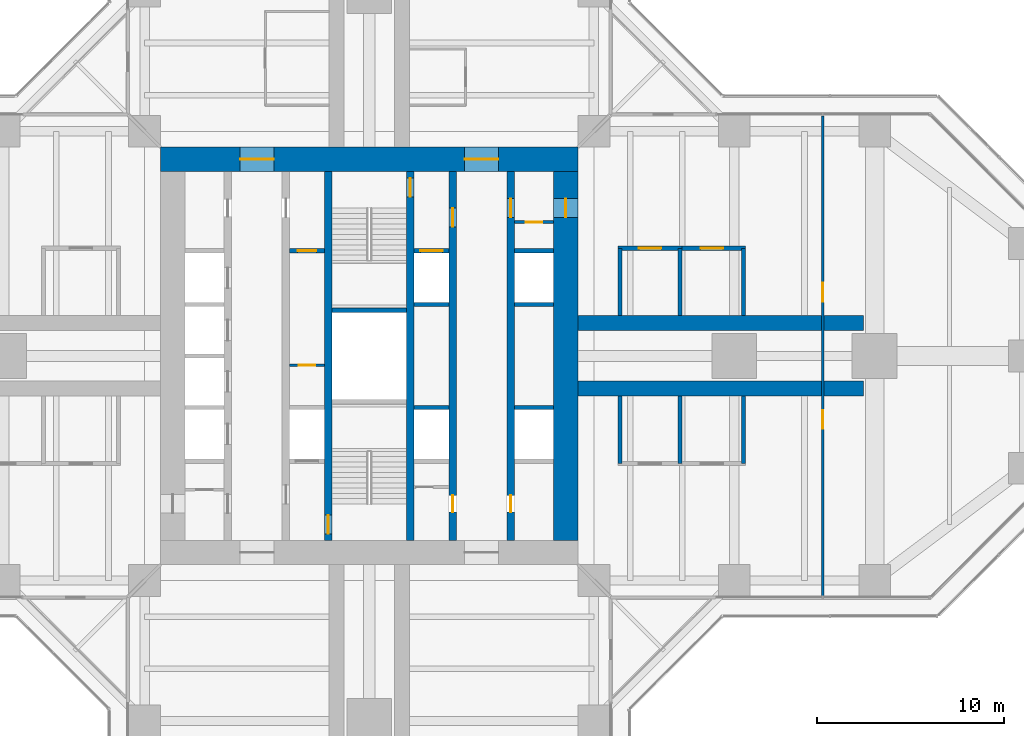
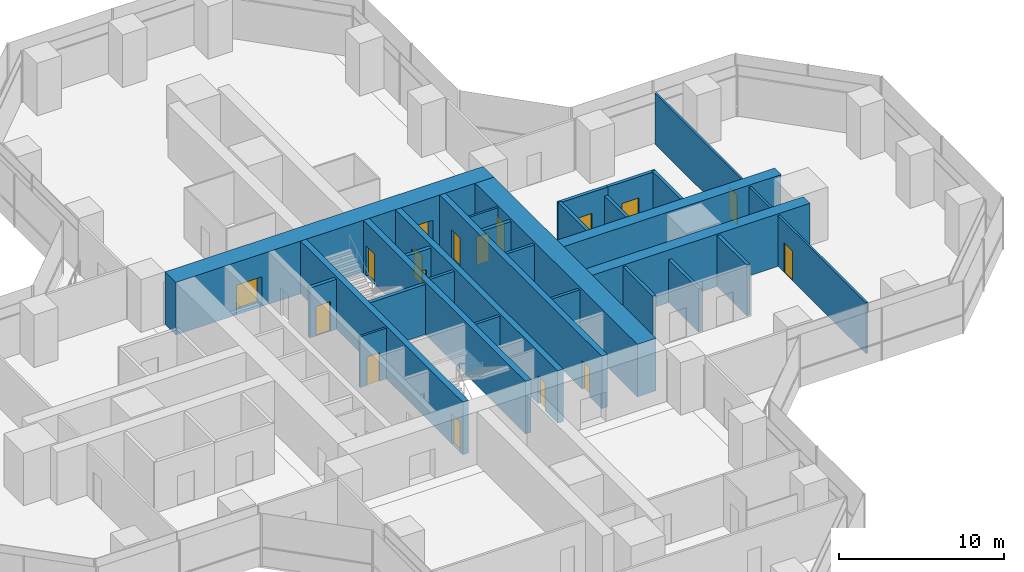
# One storey, part 19 of 22: 27 walls, 17 doors, 17 openings.
"""IFC4 building model written with IfcOpenShell, lengths in metres."""

from ifc_helpers import new_model, si_unit, direction, frame, frame_2d, origin, place, context, subcontext, project, spatial, rectangle, extrude, material, layer, layer_set, type_object, element, fill, save


model = new_model("IFC4")

# Units and contexts
model_context = context("Model", 3, precision=1e-05, world=origin(), true_north=direction((0.0, 1.0)))
body_context = subcontext(model_context, "Body", "Model", "MODEL_VIEW")
ifc_project = project(units=[si_unit("LENGTHUNIT", "METRE"), si_unit("AREAUNIT", "SQUARE_METRE"), si_unit("VOLUMEUNIT", "CUBIC_METRE"), si_unit("PLANEANGLEUNIT", "RADIAN"), si_unit("MASSUNIT", "GRAM", prefix="KILO")], contexts=[model_context])

# Site, building, storey
site_placement = place(None, origin())
site = spatial("IfcSite", under=ifc_project, at=site_placement, CompositionType="ELEMENT")
building_placement = place(site_placement, origin())
building = spatial("IfcBuilding", under=site, at=building_placement, Name="Mizan Broadcast Tower", CompositionType="ELEMENT")
storey_placement = place(building_placement, frame((0.0, 0.0, 63.0)))
storey = spatial("IfcBuildingStorey", under=building, at=storey_placement, Name="L12", CompositionType="ELEMENT", Elevation=63.0)

# Wall, openings, doors
ifc_material_1 = material(Name="Concrete C70/85", Category="concrete")
ifc_layer_1 = layer(ifc_material_1, 0.39990234375)
ifc_layer_set_1 = layer_set([ifc_layer_1], Name="Concrete C70/85")
wall_type_1 = type_object("IfcWallType", Name="CORE INTERNAL WALL 400", PredefinedType="SHEAR", material=ifc_layer_set_1)
wall_1_placement = place(storey_placement, frame((7.550048828125, 9.85009765625, 0.0), z_axis=(0.0, 0.0, 1.0), x_axis=(0.0, -1.0, 0.0)))
wall_1 = element("IfcWall", 1, at=wall_1_placement, inside=storey, type_object=wall_type_1, Name="Core wall CORE/XW1E", PredefinedType="SHEAR", context=body_context, shape_type="SweptSolid", body=[
    extrude(rectangle(XDim=19.7001953125, YDim=0.39990234375, at=frame_2d((9.85009765625, 0.0))), origin(), (0.0, 0.0, 1.0), 3.89990234375),
])
opening_1_placement = place(wall_1_placement, frame((1.449951171875, 0.0, 0.0)))
opening_1 = element("IfcOpeningElement", 2, at=opening_1_placement, cuts=wall_1, Name="Opening D10F", PredefinedType="OPENING", context=body_context, shape_type="SweptSolid", body=[
    extrude(rectangle(XDim=1.0, YDim=2.199951171875, at=frame_2d((0.5, 1.10009765625))), frame((0.0, 0.2099609375, 0.0), z_axis=(0.0, -1.0, 0.0), x_axis=(1.0, 0.0, 0.0)), (0.0, 0.0, 1.0), 0.419921875),
])
opening_2_placement = place(wall_1_placement, frame((17.300048828125, 0.0, 0.0)))
opening_2 = element("IfcOpeningElement", 3, at=opening_2_placement, cuts=wall_1, Name="Opening D09", PredefinedType="OPENING", context=body_context, shape_type="SweptSolid", body=[
    extrude(rectangle(XDim=0.89990234375, YDim=2.10009765625, at=frame_2d((0.449951171875, 1.050048828125))), frame((0.0, 0.2099609375, 0.0), z_axis=(0.0, -1.0, 0.0), x_axis=(1.0, 0.0, 0.0)), (0.0, 0.0, 1.0), 0.419921875),
])
ifc_material_2 = material(Name="Steel door leaf in steel frame", Category="steel")
door_type_1 = type_object("IfcDoorType", Name="FIRE DOOR 1000 FD90", OperationType="SINGLE_SWING_LEFT", PredefinedType="DOOR", material=ifc_material_2)
door_1_placement = place(opening_1_placement, origin())
door_1 = element("IfcDoor", 4, at=door_1_placement, inside=storey, type_object=door_type_1, Name="East core passage door", OperationType="SINGLE_SWING_LEFT", OverallHeight=2.199951171875, OverallWidth=1.0, PredefinedType="DOOR", context=body_context, shape_type="SweptSolid", body=[
    extrude(rectangle(XDim=1.0, YDim=2.199951171875, at=frame_2d((0.5, 1.10009765625))), frame((0.0, 0.02490234375, 0.0), z_axis=(0.0, -1.0, 0.0), x_axis=(1.0, 0.0, 0.0)), (0.0, 0.0, 1.0), 0.050048828125),
])
fill(opening_1, door_1)
ifc_material_3 = material(Name="Timber door leaf in aluminium frame", Category="wood")
door_type_2 = type_object("IfcDoorType", Name="TOILET DOOR 900", OperationType="SINGLE_SWING_LEFT", PredefinedType="DOOR", material=ifc_material_3)
door_2_placement = place(opening_2_placement, origin())
door_2 = element("IfcDoor", 5, at=door_2_placement, inside=storey, type_object=door_type_2, Name="Female WC door", OperationType="SINGLE_SWING_RIGHT", OverallHeight=2.10009765625, OverallWidth=0.89990234375, PredefinedType="DOOR", context=body_context, shape_type="SweptSolid", body=[
    extrude(rectangle(XDim=0.89990234375, YDim=2.10009765625, at=frame_2d((0.449951171875, 1.050048828125))), frame((0.0, 0.02490234375, 0.0), z_axis=(0.0, -1.0, 0.0), x_axis=(1.0, 0.0, 0.0)), (0.0, 0.0, 1.0), 0.050048828125),
])
fill(opening_2, door_2)

wall_2_placement = place(storey_placement, frame((4.449951171875, 9.85009765625, 0.0), z_axis=(0.0, 0.0, 1.0), x_axis=(0.0, -1.0, 0.0)))
wall_2 = element("IfcWall", 6, at=wall_2_placement, inside=storey, type_object=wall_type_1, Name="Core wall CORE/XWHE", PredefinedType="SHEAR", context=body_context, shape_type="SweptSolid", body=[
    extrude(rectangle(XDim=19.7001953125, YDim=0.39990234375, at=frame_2d((9.85009765625, 0.0))), origin(), (0.0, 0.0, 1.0), 3.89990234375),
])
opening_3_placement = place(wall_2_placement, frame((1.949951171875, 0.0, 0.0)))
opening_3 = element("IfcOpeningElement", 7, at=opening_3_placement, cuts=wall_2, Name="Opening D10F", PredefinedType="OPENING", context=body_context, shape_type="SweptSolid", body=[
    extrude(rectangle(XDim=1.0, YDim=2.199951171875, at=frame_2d((0.5, 1.10009765625))), frame((0.0, 0.2099609375, 0.0), z_axis=(0.0, -1.0, 0.0), x_axis=(1.0, 0.0, 0.0)), (0.0, 0.0, 1.0), 0.419921875),
])
opening_4_placement = place(wall_2_placement, frame((17.300048828125, 0.0, 0.0)))
opening_4 = element("IfcOpeningElement", 8, at=opening_4_placement, cuts=wall_2, Name="Opening D09", PredefinedType="OPENING", context=body_context, shape_type="SweptSolid", body=[
    extrude(rectangle(XDim=0.89990234375, YDim=2.10009765625, at=frame_2d((0.449951171875, 1.050048828125))), frame((0.0, 0.2099609375, 0.0), z_axis=(0.0, -1.0, 0.0), x_axis=(1.0, 0.0, 0.0)), (0.0, 0.0, 1.0), 0.419921875),
])
door_3_placement = place(opening_3_placement, origin())
door_3 = element("IfcDoor", 9, at=door_3_placement, inside=storey, type_object=door_type_1, Name="Firefighting lobby B door", OperationType="SINGLE_SWING_LEFT", OverallHeight=2.199951171875, OverallWidth=1.0, PredefinedType="DOOR", context=body_context, shape_type="SweptSolid", body=[
    extrude(rectangle(XDim=1.0, YDim=2.199951171875, at=frame_2d((0.5, 1.10009765625))), frame((0.0, 0.02490234375, 0.0), z_axis=(0.0, -1.0, 0.0), x_axis=(1.0, 0.0, 0.0)), (0.0, 0.0, 1.0), 0.050048828125),
])
fill(opening_3, door_3)
door_4_placement = place(opening_4_placement, origin())
door_4 = element("IfcDoor", 10, at=door_4_placement, inside=storey, type_object=door_type_2, Name="Cleaner's store door", OperationType="SINGLE_SWING_RIGHT", OverallHeight=2.10009765625, OverallWidth=0.89990234375, PredefinedType="DOOR", context=body_context, shape_type="SweptSolid", body=[
    extrude(rectangle(XDim=0.89990234375, YDim=2.10009765625, at=frame_2d((0.449951171875, 1.050048828125))), frame((0.0, 0.02490234375, 0.0), z_axis=(0.0, -1.0, 0.0), x_axis=(1.0, 0.0, 0.0)), (0.0, 0.0, 1.0), 0.050048828125),
])
fill(opening_4, door_4)

# Wall, opening, door
wall_3_placement = place(storey_placement, frame((-2.199951171875, -9.85009765625, 0.0), z_axis=(0.0, 0.0, 1.0), x_axis=(0.0, 1.0, 0.0)))
wall_3 = element("IfcWall", 11, at=wall_3_placement, inside=storey, type_object=wall_type_1, Name="Core wall CORE/XW2", PredefinedType="SHEAR", context=body_context, shape_type="SweptSolid", body=[
    extrude(rectangle(XDim=19.7001953125, YDim=0.39990234375, at=frame_2d((9.85009765625, 0.0))), origin(), (0.0, 0.0, 1.0), 3.89990234375),
])
opening_5_placement = place(wall_3_placement, frame((0.35009765625, 0.0, 0.0)))
opening_5 = element("IfcOpeningElement", 12, at=opening_5_placement, cuts=wall_3, Name="Opening D10S", PredefinedType="OPENING", context=body_context, shape_type="SweptSolid", body=[
    extrude(rectangle(XDim=1.0, YDim=2.199951171875, at=frame_2d((0.5, 1.10009765625))), frame((0.0, 0.2099609375, 0.0), z_axis=(0.0, -1.0, 0.0), x_axis=(1.0, 0.0, 0.0)), (0.0, 0.0, 1.0), 0.419921875),
])
ifc_material_4 = material(Name="Steel door leaf in steel frame", Category="steel")
door_type_3 = type_object("IfcDoorType", Name="STAIR DOOR 1000 FD90S", OperationType="SINGLE_SWING_RIGHT", PredefinedType="DOOR", material=ifc_material_4)
door_5_placement = place(opening_5_placement, origin())
door_5 = element("IfcDoor", 13, at=door_5_placement, inside=storey, type_object=door_type_3, Name="Stair A door", OperationType="SINGLE_SWING_RIGHT", OverallHeight=2.199951171875, OverallWidth=1.0, PredefinedType="DOOR", context=body_context, shape_type="SweptSolid", body=[
    extrude(rectangle(XDim=1.0, YDim=2.199951171875, at=frame_2d((0.5, 1.10009765625))), frame((0.0, 0.02490234375, 0.0), z_axis=(0.0, -1.0, 0.0), x_axis=(1.0, 0.0, 0.0)), (0.0, 0.0, 1.0), 0.050048828125),
])
fill(opening_5, door_5)

wall_4_placement = place(storey_placement, frame((2.199951171875, 9.85009765625, 0.0), z_axis=(0.0, 0.0, 1.0), x_axis=(0.0, -1.0, 0.0)))
wall_4 = element("IfcWall", 14, at=wall_4_placement, inside=storey, type_object=wall_type_1, Name="Core wall CORE/XW2E", PredefinedType="SHEAR", context=body_context, shape_type="SweptSolid", body=[
    extrude(rectangle(XDim=19.7001953125, YDim=0.39990234375, at=frame_2d((9.85009765625, 0.0))), origin(), (0.0, 0.0, 1.0), 3.89990234375),
])
opening_6_placement = place(wall_4_placement, frame((0.35009765625, 0.0, 0.0)))
opening_6 = element("IfcOpeningElement", 15, at=opening_6_placement, cuts=wall_4, Name="Opening D10S", PredefinedType="OPENING", context=body_context, shape_type="SweptSolid", body=[
    extrude(rectangle(XDim=1.0, YDim=2.199951171875, at=frame_2d((0.5, 1.10009765625))), frame((0.0, 0.2099609375, 0.0), z_axis=(0.0, -1.0, 0.0), x_axis=(1.0, 0.0, 0.0)), (0.0, 0.0, 1.0), 0.419921875),
])
door_6_placement = place(opening_6_placement, origin())
door_6 = element("IfcDoor", 16, at=door_6_placement, inside=storey, type_object=door_type_3, Name="Stair B door", OperationType="SINGLE_SWING_RIGHT", OverallHeight=2.199951171875, OverallWidth=1.0, PredefinedType="DOOR", context=body_context, shape_type="SweptSolid", body=[
    extrude(rectangle(XDim=1.0, YDim=2.199951171875, at=frame_2d((0.5, 1.10009765625))), frame((0.0, 0.02490234375, 0.0), z_axis=(0.0, -1.0, 0.0), x_axis=(1.0, 0.0, 0.0)), (0.0, 0.0, 1.0), 0.050048828125),
])
fill(opening_6, door_6)

ifc_material_5 = material(Name="Concrete blockwork", Category="masonry")
ifc_layer_2 = layer(ifc_material_5, 0.14990234375)
ifc_layer_set_2 = layer_set([ifc_layer_2], Name="Concrete blockwork")
wall_type_2 = type_object("IfcWallType", Name="CORE PARTITION 150", PredefinedType="SOLIDWALL", material=ifc_layer_set_2)
wall_5_placement = place(storey_placement, frame((-4.25, -0.5, 0.0), z_axis=(0.0, 0.0, 1.0), x_axis=(1.0, 0.0, 0.0)))
wall_5 = element("IfcWall", 17, at=wall_5_placement, inside=storey, type_object=wall_type_2, Name="Core partition CORE/XP2", PredefinedType="SOLIDWALL", context=body_context, shape_type="SweptSolid", body=[
    extrude(rectangle(XDim=1.85009765625, YDim=0.14990234375, at=frame_2d((0.925048828125, 0.0))), origin(), (0.0, 0.0, 1.0), 3.77001953125),
])
opening_7_placement = place(wall_5_placement, frame((0.47509765625, 0.0, 0.0)))
opening_7 = element("IfcOpeningElement", 18, at=opening_7_placement, cuts=wall_5, Name="Opening D09F", PredefinedType="OPENING", context=body_context, shape_type="SweptSolid", body=[
    extrude(rectangle(XDim=0.89990234375, YDim=2.10009765625, at=frame_2d((0.449951171875, 1.050048828125))), frame((0.0, 0.0849609375, 0.0), z_axis=(0.0, -1.0, 0.0), x_axis=(1.0, 0.0, 0.0)), (0.0, 0.0, 1.0), 0.169921875),
])
ifc_material_6 = material(Name="Steel door leaf in steel frame", Category="steel")
door_type_4 = type_object("IfcDoorType", Name="CORE ROOM DOOR 900 FD90", OperationType="SINGLE_SWING_LEFT", PredefinedType="DOOR", material=ifc_material_6)
door_7_placement = place(opening_7_placement, origin())
door_7 = element("IfcDoor", 19, at=door_7_placement, inside=storey, type_object=door_type_4, Name="Accessible changing room door", OperationType="SINGLE_SWING_RIGHT", OverallHeight=2.10009765625, OverallWidth=0.89990234375, PredefinedType="DOOR", context=body_context, shape_type="SweptSolid", body=[
    extrude(rectangle(XDim=0.89990234375, YDim=2.10009765625, at=frame_2d((0.449951171875, 1.050048828125))), frame((0.0, 0.02490234375, 0.0), z_axis=(0.0, -1.0, 0.0), x_axis=(1.0, 0.0, 0.0)), (0.0, 0.0, 1.0), 0.050048828125),
])
fill(opening_7, door_7)

wall_6_placement = place(storey_placement, frame((9.85009765625, 7.14990234375, 0.0), z_axis=(0.0, 0.0, 1.0), x_axis=(-1.0, 0.0, 0.0)))
wall_6 = element("IfcWall", 20, at=wall_6_placement, inside=storey, type_object=wall_type_2, Name="Core partition CORE/XPE", PredefinedType="SOLIDWALL", context=body_context, shape_type="SweptSolid", body=[
    extrude(rectangle(XDim=2.10009765625, YDim=0.14990234375, at=frame_2d((1.050048828125, 0.0))), origin(), (0.0, 0.0, 1.0), 3.77001953125),
])
opening_8_placement = place(wall_6_placement, frame((0.60009765625, 0.0, 0.0)))
opening_8 = element("IfcOpeningElement", 21, at=opening_8_placement, cuts=wall_6, Name="Opening D09F", PredefinedType="OPENING", context=body_context, shape_type="SweptSolid", body=[
    extrude(rectangle(XDim=0.89990234375, YDim=2.10009765625, at=frame_2d((0.449951171875, 1.050048828125))), frame((0.0, 0.0849609375, 0.0), z_axis=(0.0, -1.0, 0.0), x_axis=(1.0, 0.0, 0.0)), (0.0, 0.0, 1.0), 0.169921875),
])
door_8_placement = place(opening_8_placement, origin())
door_8 = element("IfcDoor", 22, at=door_8_placement, inside=storey, type_object=door_type_4, Name="Electrical cupboard door", OperationType="SINGLE_SWING_RIGHT", OverallHeight=2.10009765625, OverallWidth=0.89990234375, PredefinedType="DOOR", context=body_context, shape_type="SweptSolid", body=[
    extrude(rectangle(XDim=0.89990234375, YDim=2.10009765625, at=frame_2d((0.449951171875, 1.050048828125))), frame((0.0, 0.02490234375, 0.0), z_axis=(0.0, -1.0, 0.0), x_axis=(1.0, 0.0, 0.0)), (0.0, 0.0, 1.0), 0.050048828125),
])
fill(opening_8, door_8)

# Wall, openings, doors
ifc_material_7 = material(Name="Concrete C70/85", Category="concrete")
ifc_layer_3 = layer(ifc_material_7, 1.300048828125)
ifc_layer_set_3 = layer_set([ifc_layer_3], Name="Concrete C70/85")
wall_type_3 = type_object("IfcWallType", Name="CORE WALL 1300", PredefinedType="SHEAR", material=ifc_layer_set_3)
wall_7_placement = place(storey_placement, frame((-11.14990234375, 10.5, 0.0), z_axis=(0.0, 0.0, 1.0), x_axis=(1.0, 0.0, 0.0)))
wall_7 = element("IfcWall", 23, at=wall_7_placement, inside=storey, type_object=wall_type_3, Name="Core wall N L12", PredefinedType="SHEAR", context=body_context, shape_type="SweptSolid", body=[
    extrude(rectangle(XDim=22.2998046875, YDim=1.300048828125, at=frame_2d((11.14990234375, 0.0))), origin(), (0.0, 0.0, 1.0), 3.89990234375),
])
opening_9_placement = place(wall_7_placement, frame((4.25, 0.0, 0.0)))
opening_9 = element("IfcOpeningElement", 24, at=opening_9_placement, cuts=wall_7, Name="Opening D18F", PredefinedType="OPENING", context=body_context, shape_type="SweptSolid", body=[
    extrude(rectangle(XDim=1.800048828125, YDim=2.199951171875, at=frame_2d((0.89990234375, 1.10009765625))), frame((0.0, 0.659912109375, 0.0), z_axis=(0.0, -1.0, 0.0), x_axis=(1.0, 0.0, 0.0)), (0.0, 0.0, 1.0), 1.320068359375),
])
opening_10_placement = place(wall_7_placement, frame((16.25, 0.0, 0.0)))
opening_10 = element("IfcOpeningElement", 25, at=opening_10_placement, cuts=wall_7, Name="Opening D18F", PredefinedType="OPENING", context=body_context, shape_type="SweptSolid", body=[
    extrude(rectangle(XDim=1.800048828125, YDim=2.199951171875, at=frame_2d((0.89990234375, 1.10009765625))), frame((0.0, 0.659912109375, 0.0), z_axis=(0.0, -1.0, 0.0), x_axis=(1.0, 0.0, 0.0)), (0.0, 0.0, 1.0), 1.320068359375),
])
ifc_material_8 = material(Name="Steel door leaf in steel frame", Category="steel")
door_type_5 = type_object("IfcDoorType", Name="LOBBY DOUBLE DOOR 1800 FD90", OperationType="DOUBLE_DOOR_DOUBLE_SWING", PredefinedType="DOOR", material=ifc_material_8)
door_9_placement = place(opening_9_placement, origin())
door_9 = element("IfcDoor", 26, at=door_9_placement, inside=storey, type_object=door_type_5, Name="West lift lobby north door", OperationType="DOUBLE_DOOR_DOUBLE_SWING", OverallHeight=2.199951171875, OverallWidth=1.800048828125, PredefinedType="DOOR", context=body_context, shape_type="SweptSolid", body=[
    extrude(rectangle(XDim=1.800048828125, YDim=2.199951171875, at=frame_2d((0.89990234375, 1.10009765625))), frame((0.0, 0.02490234375, 0.0), z_axis=(0.0, -1.0, 0.0), x_axis=(1.0, 0.0, 0.0)), (0.0, 0.0, 1.0), 0.050048828125),
])
fill(opening_9, door_9)
door_10_placement = place(opening_10_placement, origin())
door_10 = element("IfcDoor", 27, at=door_10_placement, inside=storey, type_object=door_type_5, Name="East lift lobby north door", OperationType="DOUBLE_DOOR_DOUBLE_SWING", OverallHeight=2.199951171875, OverallWidth=1.800048828125, PredefinedType="DOOR", context=body_context, shape_type="SweptSolid", body=[
    extrude(rectangle(XDim=1.800048828125, YDim=2.199951171875, at=frame_2d((0.89990234375, 1.10009765625))), frame((0.0, 0.02490234375, 0.0), z_axis=(0.0, -1.0, 0.0), x_axis=(1.0, 0.0, 0.0)), (0.0, 0.0, 1.0), 0.050048828125),
])
fill(opening_10, door_10)

# Wall, opening, door
wall_8_placement = place(storey_placement, frame((10.5, -9.85009765625, 0.0), z_axis=(0.0, 0.0, 1.0), x_axis=(0.0, 1.0, 0.0)))
wall_8 = element("IfcWall", 28, at=wall_8_placement, inside=storey, type_object=wall_type_3, Name="Core wall E L12", PredefinedType="SHEAR", context=body_context, shape_type="SweptSolid", body=[
    extrude(rectangle(XDim=19.7001953125, YDim=1.300048828125, at=frame_2d((9.85009765625, 0.0))), origin(), (0.0, 0.0, 1.0), 3.89990234375),
])
opening_11_placement = place(wall_8_placement, frame((17.25, 0.0, 0.0)))
opening_11 = element("IfcOpeningElement", 29, at=opening_11_placement, cuts=wall_8, Name="Opening D10F", PredefinedType="OPENING", context=body_context, shape_type="SweptSolid", body=[
    extrude(rectangle(XDim=1.0, YDim=2.199951171875, at=frame_2d((0.5, 1.10009765625))), frame((0.0, 0.659912109375, 0.0), z_axis=(0.0, -1.0, 0.0), x_axis=(1.0, 0.0, 0.0)), (0.0, 0.0, 1.0), 1.320068359375),
])
door_11_placement = place(opening_11_placement, origin())
door_11 = element("IfcDoor", 30, at=door_11_placement, inside=storey, type_object=door_type_1, Name="East core passage arm door", OperationType="SINGLE_SWING_RIGHT", OverallHeight=2.199951171875, OverallWidth=1.0, PredefinedType="DOOR", context=body_context, shape_type="SweptSolid", body=[
    extrude(rectangle(XDim=1.0, YDim=2.199951171875, at=frame_2d((0.5, 1.10009765625))), frame((0.0, 0.02490234375, 0.0), z_axis=(0.0, -1.0, 0.0), x_axis=(1.0, 0.0, 0.0)), (0.0, 0.0, 1.0), 0.050048828125),
])
fill(opening_11, door_11)

# Walls
ifc_material_9 = material(Name="Concrete blockwork", Category="masonry")
ifc_layer_4 = layer(ifc_material_9, 0.199951171875)
ifc_layer_set_4 = layer_set([ifc_layer_4], Name="Concrete blockwork")
wall_type_4 = type_object("IfcWallType", Name="LIFT SHAFT WALL 200", PredefinedType="SOLIDWALL", material=ifc_layer_set_4)
wall_9_placement = place(storey_placement, frame((2.39990234375, -2.75, 0.0), z_axis=(0.0, 0.0, 1.0), x_axis=(1.0, 0.0, 0.0)))
element("IfcWall", 31, at=wall_9_placement, inside=storey, type_object=wall_type_4, Name="Lift shaft wall CORE/SE2-1", PredefinedType="SOLIDWALL", context=body_context, shape_type="SweptSolid", body=[
    extrude(rectangle(XDim=1.85009765625, YDim=0.199951171875, at=frame_2d((0.925048828125, 0.0))), origin(), (0.0, 0.0, 1.0), 3.699951171875),
])
wall_10_placement = place(storey_placement, frame((7.75, -2.75, 0.0), z_axis=(0.0, 0.0, 1.0), x_axis=(1.0, 0.0, 0.0)))
element("IfcWall", 32, at=wall_10_placement, inside=storey, type_object=wall_type_4, Name="Lift shaft wall CORE/SE1-1", PredefinedType="SOLIDWALL", context=body_context, shape_type="SweptSolid", body=[
    extrude(rectangle(XDim=2.10009765625, YDim=0.199951171875, at=frame_2d((1.050048828125, 0.0))), origin(), (0.0, 0.0, 1.0), 3.699951171875),
])
wall_11_placement = place(storey_placement, frame((2.39990234375, 2.75, 0.0), z_axis=(0.0, 0.0, 1.0), x_axis=(1.0, 0.0, 0.0)))
element("IfcWall", 33, at=wall_11_placement, inside=storey, type_object=wall_type_4, Name="Lift shaft wall CORE/SE2-3", PredefinedType="SOLIDWALL", context=body_context, shape_type="SweptSolid", body=[
    extrude(rectangle(XDim=1.85009765625, YDim=0.199951171875, at=frame_2d((0.925048828125, 0.0))), origin(), (0.0, 0.0, 1.0), 3.699951171875),
])
wall_12_placement = place(storey_placement, frame((7.75, 2.75, 0.0), z_axis=(0.0, 0.0, 1.0), x_axis=(1.0, 0.0, 0.0)))
element("IfcWall", 34, at=wall_12_placement, inside=storey, type_object=wall_type_4, Name="Lift shaft wall CORE/SE1-3", PredefinedType="SOLIDWALL", context=body_context, shape_type="SweptSolid", body=[
    extrude(rectangle(XDim=2.10009765625, YDim=0.199951171875, at=frame_2d((1.050048828125, 0.0))), origin(), (0.0, 0.0, 1.0), 3.699951171875),
])

# Wall, opening, door
ifc_material_10 = material(Name="Concrete blockwork", Category="masonry")
ifc_layer_5 = layer(ifc_material_10, 0.25)
ifc_layer_set_5 = layer_set([ifc_layer_5], Name="Concrete blockwork")
wall_type_5 = type_object("IfcWallType", Name="LOBBY ENCLOSURE WALL 250", PredefinedType="SOLIDWALL", material=ifc_layer_set_5)
wall_13_placement = place(storey_placement, frame((-4.25, 5.625, 0.0), z_axis=(0.0, 0.0, 1.0), x_axis=(1.0, 0.0, 0.0)))
wall_13 = element("IfcWall", 35, at=wall_13_placement, inside=storey, type_object=wall_type_5, Name="Lobby enclosure wall CORE/BW2N", PredefinedType="SOLIDWALL", context=body_context, shape_type="SweptSolid", body=[
    extrude(rectangle(XDim=1.85009765625, YDim=0.25, at=frame_2d((0.925048828125, 0.0))), origin(), (0.0, 0.0, 1.0), 3.699951171875),
])
opening_12_placement = place(wall_13_placement, frame((0.425048828125, 0.0, 0.0)))
opening_12 = element("IfcOpeningElement", 36, at=opening_12_placement, cuts=wall_13, Name="Opening D10F", PredefinedType="OPENING", context=body_context, shape_type="SweptSolid", body=[
    extrude(rectangle(XDim=1.0, YDim=2.199951171875, at=frame_2d((0.5, 1.10009765625))), frame((0.0, 0.135009765625, 0.0), z_axis=(0.0, -1.0, 0.0), x_axis=(1.0, 0.0, 0.0)), (0.0, 0.0, 1.0), 0.27001953125),
])
door_12_placement = place(opening_12_placement, origin())
door_12 = element("IfcDoor", 37, at=door_12_placement, inside=storey, type_object=door_type_1, Name="Baby change room door", OperationType="SINGLE_SWING_RIGHT", OverallHeight=2.199951171875, OverallWidth=1.0, PredefinedType="DOOR", context=body_context, shape_type="SweptSolid", body=[
    extrude(rectangle(XDim=1.0, YDim=2.199951171875, at=frame_2d((0.5, 1.10009765625))), frame((0.0, 0.02490234375, 0.0), z_axis=(0.0, -1.0, 0.0), x_axis=(1.0, 0.0, 0.0)), (0.0, 0.0, 1.0), 0.050048828125),
])
fill(opening_12, door_12)

wall_14_placement = place(storey_placement, frame((2.39990234375, 5.625, 0.0), z_axis=(0.0, 0.0, 1.0), x_axis=(1.0, 0.0, 0.0)))
wall_14 = element("IfcWall", 38, at=wall_14_placement, inside=storey, type_object=wall_type_5, Name="Lobby enclosure wall CORE/BE2N", PredefinedType="SOLIDWALL", context=body_context, shape_type="SweptSolid", body=[
    extrude(rectangle(XDim=1.85009765625, YDim=0.25, at=frame_2d((0.925048828125, 0.0))), origin(), (0.0, 0.0, 1.0), 3.699951171875),
])
opening_13_placement = place(wall_14_placement, frame((0.324951171875, 0.0, 0.0)))
opening_13 = element("IfcOpeningElement", 39, at=opening_13_placement, cuts=wall_14, Name="Opening LDF", PredefinedType="OPENING", context=body_context, shape_type="SweptSolid", body=[
    extrude(rectangle(XDim=1.199951171875, YDim=2.199951171875, at=frame_2d((0.60009765625, 1.10009765625))), frame((0.0, 0.135009765625, 0.0), z_axis=(0.0, -1.0, 0.0), x_axis=(1.0, 0.0, 0.0)), (0.0, 0.0, 1.0), 0.27001953125),
])
ifc_material_11 = material(Name="Steel door leaf in steel frame", Category="steel")
door_type_6 = type_object("IfcDoorType", Name="FIREFIGHTING LIFT LANDING DOOR 1200", OperationType="SLIDING_TO_LEFT", PredefinedType="DOOR", material=ifc_material_11)
door_13_placement = place(opening_13_placement, origin())
door_13 = element("IfcDoor", 40, at=door_13_placement, inside=storey, type_object=door_type_6, Name="Landing door FF2", OperationType="SLIDING_TO_LEFT", OverallHeight=2.199951171875, OverallWidth=1.199951171875, PredefinedType="DOOR", context=body_context, shape_type="SweptSolid", body=[
    extrude(rectangle(XDim=1.199951171875, YDim=2.199951171875, at=frame_2d((0.60009765625, 1.10009765625))), frame((0.0, 0.02490234375, 0.0), z_axis=(0.0, -1.0, 0.0), x_axis=(1.0, 0.0, 0.0)), (0.0, 0.0, 1.0), 0.050048828125),
])
fill(opening_13, door_13)

# Walls
wall_15_placement = place(storey_placement, frame((7.75, 5.625, 0.0), z_axis=(0.0, 0.0, 1.0), x_axis=(1.0, 0.0, 0.0)))
element("IfcWall", 41, at=wall_15_placement, inside=storey, type_object=wall_type_5, Name="Lobby enclosure wall CORE/BE1N", PredefinedType="SOLIDWALL", context=body_context, shape_type="SweptSolid", body=[
    extrude(rectangle(XDim=2.10009765625, YDim=0.25, at=frame_2d((1.050048828125, 0.0))), origin(), (0.0, 0.0, 1.0), 3.699951171875),
])
wall_16_placement = place(storey_placement, frame((-2.0, 2.449951171875, 0.0), z_axis=(0.0, 0.0, 1.0), x_axis=(1.0, 0.0, 0.0)))
element("IfcWall", 42, at=wall_16_placement, inside=storey, type_object=wall_type_5, Name="Lobby enclosure wall CORE/STB", PredefinedType="SOLIDWALL", context=body_context, shape_type="SweptSolid", body=[
    extrude(rectangle(XDim=4.0, YDim=0.25, at=frame_2d((2.0, 0.0))), origin(), (0.0, 0.0, 1.0), 3.699951171875),
])

# Wall, openings, doors
ifc_material_12 = material(Name="Gypsum board on steel studs", Category="steel")
ifc_layer_6 = layer(ifc_material_12, 0.14990234375)
ifc_layer_set_6 = layer_set([ifc_layer_6], Name="Gypsum board on steel studs")
wall_type_6 = type_object("IfcWallType", Name="PARTITION 150", PredefinedType="PARTITIONING", material=ifc_layer_set_6)
wall_17_placement = place(storey_placement, frame((24.22900390625, -12.820068359375, 0.0), z_axis=(0.0, 0.0, 1.0), x_axis=(0.0, 1.0, 0.0)))
wall_17 = element("IfcWall", 43, at=wall_17_placement, inside=storey, type_object=wall_type_6, Name="Partition PT/EX1", PredefinedType="PARTITIONING", context=body_context, shape_type="SweptSolid", body=[
    extrude(rectangle(XDim=25.64013671875, YDim=0.14990234375, at=frame_2d((12.820068359375, 0.0))), origin(), (0.0, 0.0, 1.0), 3.77001953125),
])
opening_14_placement = place(wall_17_placement, frame((15.719970703125, 0.0, 0.0)))
opening_14 = element("IfcOpeningElement", 44, at=opening_14_placement, cuts=wall_17, Name="Opening D10", PredefinedType="OPENING", context=body_context, shape_type="SweptSolid", body=[
    extrude(rectangle(XDim=1.0, YDim=2.199951171875, at=frame_2d((0.5, 1.10009765625))), frame((0.0, 0.0849609375, 0.0), z_axis=(0.0, -1.0, 0.0), x_axis=(1.0, 0.0, 0.0)), (0.0, 0.0, 1.0), 0.169921875),
])
opening_15_placement = place(wall_17_placement, frame((8.919921875, 0.0, 0.0)))
opening_15 = element("IfcOpeningElement", 45, at=opening_15_placement, cuts=wall_17, Name="Opening D10", PredefinedType="OPENING", context=body_context, shape_type="SweptSolid", body=[
    extrude(rectangle(XDim=1.0, YDim=2.199951171875, at=frame_2d((0.5, 1.10009765625))), frame((0.0, 0.0849609375, 0.0), z_axis=(0.0, -1.0, 0.0), x_axis=(1.0, 0.0, 0.0)), (0.0, 0.0, 1.0), 0.169921875),
])
ifc_material_13 = material(Name="Timber door leaf in aluminium frame", Category="wood")
door_type_7 = type_object("IfcDoorType", Name="ROOM DOOR 1000", OperationType="SINGLE_SWING_LEFT", PredefinedType="DOOR", material=ifc_material_13)
door_14_placement = place(opening_14_placement, origin())
door_14 = element("IfcDoor", 46, at=door_14_placement, inside=storey, type_object=door_type_7, Name="Open office door", OperationType="SINGLE_SWING_RIGHT", OverallHeight=2.199951171875, OverallWidth=1.0, PredefinedType="DOOR", context=body_context, shape_type="SweptSolid", body=[
    extrude(rectangle(XDim=1.0, YDim=2.199951171875, at=frame_2d((0.5, 1.10009765625))), frame((0.0, 0.02490234375, 0.0), z_axis=(0.0, -1.0, 0.0), x_axis=(1.0, 0.0, 0.0)), (0.0, 0.0, 1.0), 0.050048828125),
])
fill(opening_14, door_14)
door_15_placement = place(opening_15_placement, origin())
door_15 = element("IfcDoor", 47, at=door_15_placement, inside=storey, type_object=door_type_7, Name="Open office door", OperationType="SINGLE_SWING_LEFT", OverallHeight=2.199951171875, OverallWidth=1.0, PredefinedType="DOOR", context=body_context, shape_type="SweptSolid", body=[
    extrude(rectangle(XDim=1.0, YDim=2.199951171875, at=frame_2d((0.5, 1.10009765625))), frame((0.0, 0.02490234375, 0.0), z_axis=(0.0, -1.0, 0.0), x_axis=(1.0, 0.0, 0.0)), (0.0, 0.0, 1.0), 0.050048828125),
])
fill(opening_15, door_15)

# Walls
ifc_material_14 = material(Name="Twin steel stud acoustic partition, four layers of gypsum board", Category="steel")
ifc_layer_7 = layer(ifc_material_14, 0.22509765625)
ifc_layer_set_7 = layer_set([ifc_layer_7], Name="Twin steel stud acoustic partition, four layers of gypsum board")
wall_type_7 = type_object("IfcWallType", Name="PARTITION ACOUSTIC 225", PredefinedType="PARTITIONING", material=ifc_layer_set_7)
wall_18_placement = place(storey_placement, frame((13.39990234375, 2.14990234375, 0.0), z_axis=(0.0, 0.0, 1.0), x_axis=(0.0, 1.0, 0.0)))
element("IfcWall", 48, at=wall_18_placement, inside=storey, type_object=wall_type_7, Name="Acoustic partition PT/EKP0a", PredefinedType="PARTITIONING", context=body_context, shape_type="SweptSolid", body=[
    extrude(rectangle(XDim=3.60009765625, YDim=0.22509765625, at=frame_2d((1.800048828125, 0.0))), origin(), (0.0, 0.0, 1.0), 3.77001953125),
])
wall_19_placement = place(storey_placement, frame((16.60009765625, 2.14990234375, 0.0), z_axis=(0.0, 0.0, 1.0), x_axis=(0.0, 1.0, 0.0)))
element("IfcWall", 49, at=wall_19_placement, inside=storey, type_object=wall_type_7, Name="Acoustic partition PT/EKP0b", PredefinedType="PARTITIONING", context=body_context, shape_type="SweptSolid", body=[
    extrude(rectangle(XDim=3.60009765625, YDim=0.22509765625, at=frame_2d((1.800048828125, 0.0))), origin(), (0.0, 0.0, 1.0), 3.179931640625),
])

# Wall, opening, door
wall_20_placement = place(storey_placement, frame((13.28759765625, 5.75, 0.0), z_axis=(0.0, 0.0, 1.0), x_axis=(1.0, 0.0, 0.0)))
wall_20 = element("IfcWall", 50, at=wall_20_placement, inside=storey, type_object=wall_type_7, Name="Acoustic partition PT/EKP0f", PredefinedType="PARTITIONING", context=body_context, shape_type="SweptSolid", body=[
    extrude(rectangle(XDim=3.4248046875, YDim=0.22509765625, at=frame_2d((1.71240234375, 0.0))), origin(), (0.0, 0.0, 1.0), 3.77001953125),
])
opening_16_placement = place(wall_20_placement, frame((1.112548828125, 0.0, 0.0)))
opening_16 = element("IfcOpeningElement", 51, at=opening_16_placement, cuts=wall_20, Name="Opening D12A", PredefinedType="OPENING", context=body_context, shape_type="SweptSolid", body=[
    extrude(rectangle(XDim=1.199951171875, YDim=2.199951171875, at=frame_2d((0.60009765625, 1.10009765625))), frame((0.0, 0.12255859375, 0.0), z_axis=(0.0, -1.0, 0.0), x_axis=(1.0, 0.0, 0.0)), (0.0, 0.0, 1.0), 0.2451171875),
])
ifc_material_15 = material(Name="Timber door leaf in aluminium frame", Category="wood")
door_type_8 = type_object("IfcDoorType", Name="ACOUSTIC DOOR 1200", OperationType="SINGLE_SWING_LEFT", PredefinedType="DOOR", material=ifc_material_15)
door_16_placement = place(opening_16_placement, origin())
door_16 = element("IfcDoor", 52, at=door_16_placement, inside=storey, type_object=door_type_8, Name="Edit suite door", OperationType="SINGLE_SWING_LEFT", OverallHeight=2.199951171875, OverallWidth=1.199951171875, PredefinedType="DOOR", context=body_context, shape_type="SweptSolid", body=[
    extrude(rectangle(XDim=1.199951171875, YDim=2.199951171875, at=frame_2d((0.60009765625, 1.10009765625))), frame((0.0, 0.02490234375, 0.0), z_axis=(0.0, -1.0, 0.0), x_axis=(1.0, 0.0, 0.0)), (0.0, 0.0, 1.0), 0.050048828125),
])
fill(opening_16, door_16)

# Wall
wall_21_placement = place(storey_placement, frame((20.0, 2.14990234375, 0.0), z_axis=(0.0, 0.0, 1.0), x_axis=(0.0, 1.0, 0.0)))
element("IfcWall", 53, at=wall_21_placement, inside=storey, type_object=wall_type_7, Name="Acoustic partition PT/EKP1b", PredefinedType="PARTITIONING", context=body_context, shape_type="SweptSolid", body=[
    extrude(rectangle(XDim=3.60009765625, YDim=0.22509765625, at=frame_2d((1.800048828125, 0.0))), origin(), (0.0, 0.0, 1.0), 3.77001953125),
])

# Wall, opening, door
wall_22_placement = place(storey_placement, frame((16.71240234375, 5.75, 0.0), z_axis=(0.0, 0.0, 1.0), x_axis=(1.0, 0.0, 0.0)))
wall_22 = element("IfcWall", 54, at=wall_22_placement, inside=storey, type_object=wall_type_7, Name="Acoustic partition PT/EKP1f", PredefinedType="PARTITIONING", context=body_context, shape_type="SweptSolid", body=[
    extrude(rectangle(XDim=3.400146484375, YDim=0.22509765625, at=frame_2d((1.7001953125, 0.0))), origin(), (0.0, 0.0, 1.0), 3.77001953125),
])
opening_17_placement = place(wall_22_placement, frame((0.987548828125, 0.0, 0.0)))
opening_17 = element("IfcOpeningElement", 55, at=opening_17_placement, cuts=wall_22, Name="Opening D12A", PredefinedType="OPENING", context=body_context, shape_type="SweptSolid", body=[
    extrude(rectangle(XDim=1.199951171875, YDim=2.199951171875, at=frame_2d((0.60009765625, 1.10009765625))), frame((0.0, 0.12255859375, 0.0), z_axis=(0.0, -1.0, 0.0), x_axis=(1.0, 0.0, 0.0)), (0.0, 0.0, 1.0), 0.2451171875),
])
door_17_placement = place(opening_17_placement, origin())
door_17 = element("IfcDoor", 56, at=door_17_placement, inside=storey, type_object=door_type_8, Name="Edit suite door", OperationType="SINGLE_SWING_LEFT", OverallHeight=2.199951171875, OverallWidth=1.199951171875, PredefinedType="DOOR", context=body_context, shape_type="SweptSolid", body=[
    extrude(rectangle(XDim=1.199951171875, YDim=2.199951171875, at=frame_2d((0.60009765625, 1.10009765625))), frame((0.0, 0.02490234375, 0.0), z_axis=(0.0, -1.0, 0.0), x_axis=(1.0, 0.0, 0.0)), (0.0, 0.0, 1.0), 0.050048828125),
])
fill(opening_17, door_17)

# Walls
wall_23_placement = place(storey_placement, frame((13.39990234375, -2.14990234375, 0.0), z_axis=(0.0, 0.0, 1.0), x_axis=(0.0, -1.0, 0.0)))
element("IfcWall", 57, at=wall_23_placement, inside=storey, type_object=wall_type_7, Name="Acoustic partition PT/EKN0a", PredefinedType="PARTITIONING", context=body_context, shape_type="SweptSolid", body=[
    extrude(rectangle(XDim=3.60009765625, YDim=0.22509765625, at=frame_2d((1.800048828125, 0.0))), origin(), (0.0, 0.0, 1.0), 3.77001953125),
])
wall_24_placement = place(storey_placement, frame((16.60009765625, -2.14990234375, 0.0), z_axis=(0.0, 0.0, 1.0), x_axis=(0.0, -1.0, 0.0)))
element("IfcWall", 58, at=wall_24_placement, inside=storey, type_object=wall_type_7, Name="Acoustic partition PT/EKN0b", PredefinedType="PARTITIONING", context=body_context, shape_type="SweptSolid", body=[
    extrude(rectangle(XDim=3.60009765625, YDim=0.22509765625, at=frame_2d((1.800048828125, 0.0))), origin(), (0.0, 0.0, 1.0), 3.179931640625),
])
wall_25_placement = place(storey_placement, frame((20.0, -2.14990234375, 0.0), z_axis=(0.0, 0.0, 1.0), x_axis=(0.0, -1.0, 0.0)))
element("IfcWall", 59, at=wall_25_placement, inside=storey, type_object=wall_type_7, Name="Acoustic partition PT/EKN1b", PredefinedType="PARTITIONING", context=body_context, shape_type="SweptSolid", body=[
    extrude(rectangle(XDim=3.60009765625, YDim=0.22509765625, at=frame_2d((1.800048828125, 0.0))), origin(), (0.0, 0.0, 1.0), 3.77001953125),
])
ifc_material_16 = material(Name="Concrete C70/85", Category="concrete")
ifc_layer_8 = layer(ifc_material_16, 0.800048828125)
ifc_layer_set_8 = layer_set([ifc_layer_8], Name="Concrete C70/85")
wall_type_8 = type_object("IfcWallType", Name="SPINE WALL 800", PredefinedType="SHEAR", material=ifc_layer_set_8)
for number, where, z_axis, x_axis, name in (
    (60, (11.14990234375, -1.75, 0.0), (0.0, 0.0, 1.0), (1.0, 0.0, 0.0), "Spine wall ER L12"),
    (61, (11.14990234375, 1.75, 0.0), (0.0, 0.0, 1.0), (1.0, 0.0, 0.0), "Spine wall EL L12"),
):
    element("IfcWall", number, at=place(storey_placement, frame(where, z_axis=z_axis, x_axis=x_axis)), inside=storey, type_object=wall_type_8, Name=name, PredefinedType="SHEAR", context=body_context, shape_type="SweptSolid", body=[
        extrude(rectangle(XDim=15.25, YDim=0.800048828125, at=frame_2d((7.625, 0.0))), origin(), (0.0, 0.0, 1.0), 3.89990234375),
    ])

save(model, "model.ifc")
